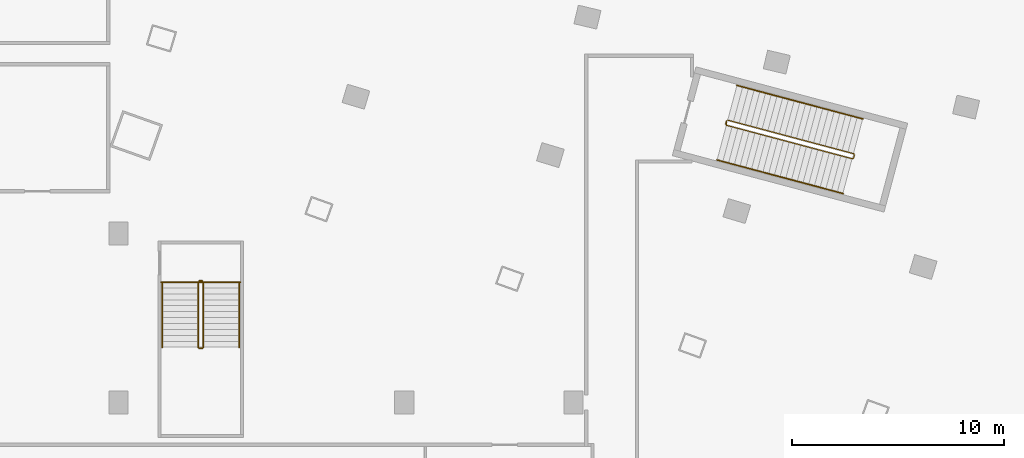
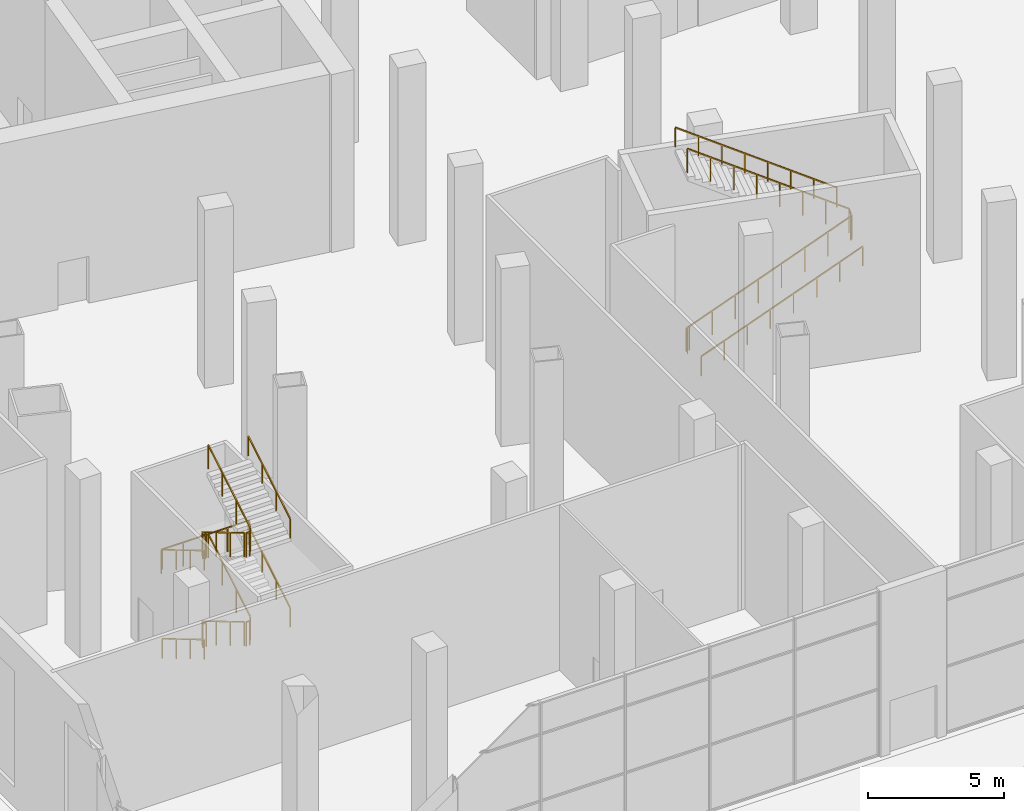
# One storey, part 25 of 33: 16 railings.
"""IFC4 building model written with IfcOpenShell, lengths in metres."""

import ifcopenshell
import ifcopenshell.guid

model = None  # the IFC model being written
_history = None  # IfcOwnerHistory: only IFC2X3 demands one
_inside = {}  # id of a spatial element -> (the spatial element, [elements in it])
_under = {}  # id of a project, library or spatial element -> (it, [spatial elements below it])
_declared = {}  # id of a project -> (the project, [libraries it declares])
_typed = {}  # id of a type object -> (the type object, [elements of that type])
_made_of = {}  # id of a material, layer set ... -> (it, [elements and type objects made of it])


def new_model(schema):
    """Start an empty IFC model of exactly this schema.

    Asked for "IFC4X3", IfcOpenShell would pick the latest addendum, in which some entities
    have other attributes; the version numbers below select the first issue.
    IFC2X3 requires an IfcOwnerHistory on every rooted entity: one is made here for all.
    """
    global model, _history
    if schema == "IFC4X3":
        model = ifcopenshell.file(schema_version=(4, 3, 0, 0))
    else:
        model = ifcopenshell.file(schema=schema)
    _inside.clear()
    _under.clear()
    _declared.clear()
    _typed.clear()
    _made_of.clear()
    _history = None
    if model.schema == "IFC2X3":
        org = make("IfcOrganization", Name="unknown")
        user = make(
            "IfcPersonAndOrganization",
            ThePerson=make("IfcPerson", FamilyName="unknown"),
            TheOrganization=org,
        )
        app = make(
            "IfcApplication",
            ApplicationDeveloper=org,
            Version="unknown",
            ApplicationFullName="unknown",
            ApplicationIdentifier="unknown",
        )
        _history = make(
            "IfcOwnerHistory",
            OwningUser=user,
            OwningApplication=app,
            ChangeAction="ADDED",
            CreationDate=0,
        )
    return model


def make(cls, **values):
    """One entity of the class cls with the attributes given. An attribute that is None is left unset."""
    return model.create_entity(
        cls, **{name: value for name, value in values.items() if value is not None}
    )


def rooted(cls, **values):
    """An entity with a GlobalId (a new one), such as an element, a storey or a relation."""
    return make(cls, GlobalId=ifcopenshell.guid.new(), OwnerHistory=_history, **values)


def si_unit(unit_type, name, prefix=None):
    """IfcSIUnit, for example si_unit("LENGTHUNIT", "METRE", prefix="MILLI")."""
    return make("IfcSIUnit", UnitType=unit_type, Prefix=prefix, Name=name)


def assignment(units):
    """IfcUnitAssignment: the units of a project."""
    return None if units is None else make("IfcUnitAssignment", Units=units)


def point(xyz):
    """IfcCartesianPoint."""
    return None if xyz is None else make("IfcCartesianPoint", Coordinates=xyz)


def direction(xyz):
    """IfcDirection."""
    return None if xyz is None else make("IfcDirection", DirectionRatios=xyz)


def frame(location, z_axis=None, x_axis=None):
    """IfcAxis2Placement3D, a coordinate frame: its origin and axes. An axis left out is left unset."""
    return make(
        "IfcAxis2Placement3D",
        Location=point(location),
        Axis=direction(z_axis),
        RefDirection=direction(x_axis),
    )


def frame_2d(location, x_axis=None):
    """IfcAxis2Placement2D, a coordinate frame in the plane: its origin and x axis."""
    return make(
        "IfcAxis2Placement2D", Location=point(location), RefDirection=direction(x_axis)
    )


def origin():
    """The frame at (0, 0, 0) with its axes left unset."""
    return frame((0.0, 0.0, 0.0))


def origin_with_axes():
    """The frame at (0, 0, 0) with the z axis (0, 0, 1) and the x axis (1, 0, 0) written out."""
    return frame((0.0, 0.0, 0.0), z_axis=(0.0, 0.0, 1.0), x_axis=(1.0, 0.0, 0.0))


def origin_2d():
    """The frame at (0, 0) in the plane with its x axis left unset."""
    return frame_2d((0.0, 0.0))


def place(relative_to, where):
    """IfcLocalPlacement: puts the frame where relative to a parent placement (None: the world)."""
    return make(
        "IfcLocalPlacement", PlacementRelTo=relative_to, RelativePlacement=where
    )


def context(
    kind, dimensions, precision=None, world=None, true_north=None, identifier=None
):
    """IfcGeometricRepresentationContext, for example the 3D "Model" context."""
    return make(
        "IfcGeometricRepresentationContext",
        ContextIdentifier=identifier,
        ContextType=kind,
        CoordinateSpaceDimension=dimensions,
        Precision=precision,
        WorldCoordinateSystem=world,
        TrueNorth=true_north,
    )


def subcontext(parent, identifier, kind, view, scale=None):
    """IfcGeometricRepresentationSubContext, for example "Body" below "Model"."""
    return make(
        "IfcGeometricRepresentationSubContext",
        ContextIdentifier=identifier,
        ContextType=kind,
        ParentContext=parent,
        TargetScale=scale,
        TargetView=view,
    )


def project(units=None, contexts=None):
    """IfcProject with its units and contexts."""
    return rooted(
        "IfcProject",
        Name="project",
        RepresentationContexts=contexts,
        UnitsInContext=assignment(units),
    )


def spatial(cls, under=None, at=None, **own):
    """A site, building, storey or space (cls), placed at a placement, below another one or the project."""
    s = rooted(cls, ObjectPlacement=at, **own)
    if under is not None:
        _under.setdefault(under.id(), (under, []))[1].append(s)
    return s


def profile(cls, at=None, kind="AREA", **sizes):
    """A parametric profile (cls). Its sizes go by their IFC names, for example OverallWidth=200.0."""
    return make(cls, ProfileType=kind, Position=at, **sizes)


def rectangle(**sizes):
    """IfcRectangleProfileDef."""
    return profile("IfcRectangleProfileDef", **sizes)


def extrude(swept, where, along, depth):
    """IfcExtrudedAreaSolid: the profile swept, set in the frame where, extruded along a direction by depth."""
    return make(
        "IfcExtrudedAreaSolid",
        SweptArea=swept,
        Position=where,
        ExtrudedDirection=direction(along),
        Depth=depth,
    )


def shape(context_of_items, identifier, shape_type, items):
    """IfcShapeRepresentation: the items that make up one representation, for example the "Body"."""
    return make(
        "IfcShapeRepresentation",
        ContextOfItems=context_of_items,
        RepresentationIdentifier=identifier,
        RepresentationType=shape_type,
        Items=items,
    )


def material(Name=None, Category=None):
    """IfcMaterial."""
    return make("IfcMaterial", Name=Name, Category=Category)


def made_of(thing, what):
    """Note that an element or type object is made of a material, layer set ...; save() writes the relation."""
    if what is not None:
        _made_of.setdefault(what.id(), (what, []))[1].append(thing)
    return thing


def type_object(cls, material=None, **own):
    """A type object (cls), such as IfcWallType, which elements share."""
    return made_of(rooted(cls, **own), material)


def element(
    cls,
    number,
    at=None,
    inside=None,
    cuts=None,
    type_object=None,
    material=None,
    context=None,
    identifier="Body",
    shape_type=None,
    held_by="IfcProductDefinitionShape",
    body=None,
    shapes=None,
    **own,
):
    """One element of the class cls, such as IfcWall. Its Tag is "e" and its number.

    at: its placement. inside: the storey or other place that contains it. cuts: it is an
    opening in that element (IfcRelVoidsElement). A single representation is given by context,
    identifier, shape_type and body (its items); several are given by shapes. held_by: the class
    of the entity that holds the representations. save() writes the other relations.
    """
    e = rooted(cls, Tag="e%d" % number, ObjectPlacement=at, **own)
    if body is not None:
        shapes = [shape(context, identifier, shape_type, body)]
    if shapes is not None:
        e.Representation = make(held_by, Representations=shapes)
    if inside is not None:
        _inside.setdefault(inside.id(), (inside, []))[1].append(e)
    if cuts is not None:
        rooted(
            "IfcRelVoidsElement", RelatingBuildingElement=cuts, RelatedOpeningElement=e
        )
    if type_object is not None:
        _typed.setdefault(type_object.id(), (type_object, []))[1].append(e)
    return made_of(e, material)


def aggregate(whole, parts):
    """IfcRelAggregates: a whole, such as a stair, and the parts it consists of."""
    return rooted("IfcRelAggregates", RelatingObject=whole, RelatedObjects=parts)


def save(model, path):
    """Write the relations noted so far, then the file.

    IfcRelAggregates (storeys below a building ...), IfcRelContainedInSpatialStructure (elements
    in a storey), IfcRelDefinesByType, IfcRelAssociatesMaterial and IfcRelDeclares: one each for
    every whole, place, type object, material and project.
    """
    for whole, parts in _under.values():
        aggregate(whole, parts)
    for where, things in _inside.values():
        rooted(
            "IfcRelContainedInSpatialStructure",
            RelatedElements=things,
            RelatingStructure=where,
        )
    for kind, things in _typed.values():
        rooted("IfcRelDefinesByType", RelatedObjects=things, RelatingType=kind)
    for what, things in _made_of.values():
        rooted("IfcRelAssociatesMaterial", RelatedObjects=things, RelatingMaterial=what)
    for by, libraries in _declared.values():
        rooted("IfcRelDeclares", RelatingContext=by, RelatedDefinitions=libraries)
    model.write(path)


model = new_model("IFC4")

# Units and contexts
model_context = context("Model", 3, precision=1e-05, world=origin(), true_north=direction((0.0, 1.0)))
body_context = subcontext(model_context, "Body", "Model", "MODEL_VIEW")
ifc_project = project(units=[si_unit("LENGTHUNIT", "METRE"), si_unit("AREAUNIT", "SQUARE_METRE"), si_unit("VOLUMEUNIT", "CUBIC_METRE"), si_unit("PLANEANGLEUNIT", "RADIAN"), si_unit("MASSUNIT", "GRAM", prefix="KILO")], contexts=[model_context])

# Site, building, storey
site_placement = place(None, origin())
site = spatial("IfcSite", under=ifc_project, at=site_placement, CompositionType="ELEMENT")
building_placement = place(site_placement, origin())
building = spatial("IfcBuilding", under=site, at=building_placement, Name="Alderwake Tower", CompositionType="ELEMENT")
storey_placement = place(building_placement, origin())
storey = spatial("IfcBuildingStorey", under=building, at=storey_placement, Name="L00", CompositionType="ELEMENT", Elevation=0.0)

# Railings
ifc_material_1 = material(Name="Stainless steel guard", Category="steel")
railing_type_1 = type_object("IfcRailingType", Name="Stair guard 1100", PredefinedType="GUARDRAIL", material=ifc_material_1)
railing_1_placement = place(storey_placement, frame((39.1943359375, 29.17431640625, 0.0)))
element("IfcRailing", 1, at=railing_1_placement, inside=storey, type_object=railing_type_1, Name="L00 ST-C stair guard 1", PredefinedType="GUARDRAIL", context=body_context, shape_type="SweptSolid", body=[
    extrude(rectangle(XDim=0.048095703125, YDim=0.048095703125, at=origin_2d()), frame((0.0, 0.0, 1.076171875), z_axis=(0.257459803502, 0.966289009345, 0.0), x_axis=(-0.966289009345, 0.257459803502, 0.0)), (0.0, 0.0, 1.0), 0.14990234375),
    extrude(rectangle(XDim=0.048095703125, YDim=0.048095703125, at=origin_2d()), frame((0.03857421875, 0.144775390625, 1.076171875), z_axis=(-0.011772305704, -0.764294308781, 0.644760127787), x_axis=(0.999881397308, -0.015401016783, 0.0)), (0.0, 0.0, 1.0), 0.26953125),
    extrude(rectangle(XDim=0.048095703125, YDim=0.048095703125, at=origin_2d()), frame((0.035400390625, -0.061279296875, 1.25), z_axis=(0.820850103471, -0.218637487057, 0.52763885081), x_axis=(0.257381421089, 0.966309890293, 0.0)), (0.0, 0.0, 1.0), 7.25146484375),
    extrude(rectangle(XDim=0.048095703125, YDim=0.048095703125, at=origin_2d()), frame((5.98779296875, -1.646728515625, 5.076171875), z_axis=(0.865898279276, 0.500220121494, 0.0), x_axis=(-0.500220121494, 0.865898279276, 0.0)), (0.0, 0.0, 1.0), 0.07080078125),
    extrude(rectangle(XDim=0.048095703125, YDim=0.048095703125, at=origin_2d()), frame((6.049072265625, -1.611328125, 5.076171875), z_axis=(0.257055032184, 0.966396766566, 0.0), x_axis=(-0.966396766566, 0.257055032184, 0.0)), (0.0, 0.0, 1.0), 0.150146484375),
    extrude(rectangle(XDim=0.048095703125, YDim=0.048095703125, at=origin_2d()), frame((6.087646484375, -1.46630859375, 5.076171875), z_axis=(-0.18869893599, 0.325342993085, 0.926576844307), x_axis=(-0.865031189262, -0.501718089772, 0.0)), (0.0, 0.0, 1.0), 0.1875),
    extrude(rectangle(XDim=0.048095703125, YDim=0.048095703125, at=origin_2d()), frame((6.05224609375, -1.4052734375, 5.25), z_axis=(-0.820844060793, 0.218669544926, 0.527634966603), x_axis=(-0.257418428705, -0.966300032372, 0.0)), (0.0, 0.0, 1.0), 7.25146484375),
    extrude(rectangle(XDim=0.0419921875, YDim=0.0419921875, at=origin_2d()), frame((0.0, 0.0, 0.0), z_axis=(0.0, 0.0, 1.0), x_axis=(0.257459803502, 0.966289009345, 0.0)), (0.0, 0.0, 1.0), 1.052001953125),
    extrude(rectangle(XDim=0.0419921875, YDim=0.0419921875, at=origin_2d()), frame((0.03857421875, 0.144775390625, 0.0), z_axis=(0.0, 0.0, 1.0), x_axis=(-0.015401016783, -0.999881397308, 0.0)), (0.0, 0.0, 1.0), 1.052001953125),
    extrude(rectangle(XDim=0.0419921875, YDim=0.0419921875, at=origin_2d()), frame((0.035400390625, -0.061279296875, 0.173828125), z_axis=(0.0, 0.0, 1.0), x_axis=(0.966309890293, -0.257381421089, 0.0)), (0.0, 0.0, 1.0), 1.052001953125),
    extrude(rectangle(XDim=0.0419921875, YDim=0.0419921875, at=origin_2d()), frame((0.8857421875, -0.287841796875, 0.720458984375), z_axis=(0.0, 0.0, 1.0), x_axis=(0.966309890293, -0.257381421089, 0.0)), (0.0, 0.0, 1.0), 1.052001953125),
    extrude(rectangle(XDim=0.0419921875, YDim=0.0419921875, at=origin_2d()), frame((1.736083984375, -0.51416015625, 1.26708984375), z_axis=(0.0, 0.0, 1.0), x_axis=(0.966309890293, -0.257381421089, 0.0)), (0.0, 0.0, 1.0), 1.052001953125),
    extrude(rectangle(XDim=0.0419921875, YDim=0.0419921875, at=origin_2d()), frame((2.58642578125, -0.74072265625, 1.813720703125), z_axis=(0.0, 0.0, 1.0), x_axis=(0.966309890293, -0.257381421089, 0.0)), (0.0, 0.0, 1.0), 1.052001953125),
    extrude(rectangle(XDim=0.0419921875, YDim=0.0419921875, at=origin_2d()), frame((3.436767578125, -0.96728515625, 2.360107421875), z_axis=(0.0, 0.0, 1.0), x_axis=(0.966309890293, -0.257381421089, 0.0)), (0.0, 0.0, 1.0), 1.052001953125),
    extrude(rectangle(XDim=0.0419921875, YDim=0.0419921875, at=origin_2d()), frame((4.287109375, -1.19384765625, 2.90673828125), z_axis=(0.0, 0.0, 1.0), x_axis=(0.966309890293, -0.257381421089, 0.0)), (0.0, 0.0, 1.0), 1.052001953125),
    extrude(rectangle(XDim=0.0419921875, YDim=0.0419921875, at=origin_2d()), frame((5.137451171875, -1.420166015625, 3.453369140625), z_axis=(0.0, 0.0, 1.0), x_axis=(0.966309890293, -0.257381421089, 0.0)), (0.0, 0.0, 1.0), 1.052001953125),
    extrude(rectangle(XDim=0.0419921875, YDim=0.0419921875, at=origin_2d()), frame((5.98779296875, -1.646728515625, 4.0), z_axis=(0.0, 0.0, 1.0), x_axis=(0.865898279276, 0.500220121494, 0.0)), (0.0, 0.0, 1.0), 1.052001953125),
    extrude(rectangle(XDim=0.0419921875, YDim=0.0419921875, at=origin_2d()), frame((6.049072265625, -1.611328125, 4.0), z_axis=(0.0, 0.0, 1.0), x_axis=(0.257055032184, 0.966396766566, 0.0)), (0.0, 0.0, 1.0), 1.052001953125),
    extrude(rectangle(XDim=0.0419921875, YDim=0.0419921875, at=origin_2d()), frame((6.087646484375, -1.46630859375, 4.0), z_axis=(0.0, 0.0, 1.0), x_axis=(-0.501718089772, 0.865031189262, 0.0)), (0.0, 0.0, 1.0), 1.052001953125),
    extrude(rectangle(XDim=0.0419921875, YDim=0.0419921875, at=origin_2d()), frame((6.05224609375, -1.4052734375, 4.173828125), z_axis=(0.0, 0.0, 1.0), x_axis=(-0.966300032372, 0.257418428705, 0.0)), (0.0, 0.0, 1.0), 1.052001953125),
    extrude(rectangle(XDim=0.0419921875, YDim=0.0419921875, at=origin_2d()), frame((5.201904296875, -1.1787109375, 4.720458984375), z_axis=(0.0, 0.0, 1.0), x_axis=(-0.966300032372, 0.257418428705, 0.0)), (0.0, 0.0, 1.0), 1.052001953125),
    extrude(rectangle(XDim=0.0419921875, YDim=0.0419921875, at=origin_2d()), frame((4.3515625, -0.9521484375, 5.26708984375), z_axis=(0.0, 0.0, 1.0), x_axis=(-0.966300032372, 0.257418428705, 0.0)), (0.0, 0.0, 1.0), 1.052001953125),
    extrude(rectangle(XDim=0.0419921875, YDim=0.0419921875, at=origin_2d()), frame((3.501220703125, -0.7255859375, 5.813720703125), z_axis=(0.0, 0.0, 1.0), x_axis=(-0.966300032372, 0.257418428705, 0.0)), (0.0, 0.0, 1.0), 1.052001953125),
    extrude(rectangle(XDim=0.0419921875, YDim=0.0419921875, at=origin_2d()), frame((2.65087890625, -0.499267578125, 6.360107421875), z_axis=(0.0, 0.0, 1.0), x_axis=(-0.966300032372, 0.257418428705, 0.0)), (0.0, 0.0, 1.0), 1.052001953125),
    extrude(rectangle(XDim=0.0419921875, YDim=0.0419921875, at=origin_2d()), frame((1.800537109375, -0.272705078125, 6.90673828125), z_axis=(0.0, 0.0, 1.0), x_axis=(-0.966300032372, 0.257418428705, 0.0)), (0.0, 0.0, 1.0), 1.052001953125),
    extrude(rectangle(XDim=0.0419921875, YDim=0.0419921875, at=origin_2d()), frame((0.9501953125, -0.046142578125, 7.453369140625), z_axis=(0.0, 0.0, 1.0), x_axis=(-0.966300032372, 0.257418428705, 0.0)), (0.0, 0.0, 1.0), 1.052001953125),
    extrude(rectangle(XDim=0.0419921875, YDim=0.0419921875, at=origin_2d()), frame((0.099853515625, 0.180419921875, 8.0), z_axis=(0.0, 0.0, 1.0), x_axis=(-0.966300032372, 0.257418428705, 0.0)), (0.0, 0.0, 1.0), 1.052001953125),
])
railing_2_placement = place(storey_placement, frame((14.25, 21.699951171875, 0.166748046875)))
element("IfcRailing", 2, at=railing_2_placement, inside=storey, type_object=railing_type_1, Name="L00 ST-P1 stair guard 1", PredefinedType="GUARDRAIL", context=body_context, shape_type="SweptSolid", body=[
    extrude(rectangle(XDim=0.048095703125, YDim=0.048095703125, at=origin_2d()), frame((0.0, 0.0, 1.076171875), z_axis=(0.0, -0.859290745958, 0.51148745235), x_axis=(1.0, 0.0, 0.0)), (0.0, 0.0, 1.0), 3.584228515625),
    extrude(rectangle(XDim=0.0419921875, YDim=0.0419921875, at=origin_2d()), frame((0.0, 0.0, 0.0), z_axis=(0.0, 0.0, 1.0), x_axis=(0.0, -1.0, 0.0)), (0.0, 0.0, 1.0), 1.052001953125),
    extrude(rectangle(XDim=0.0419921875, YDim=0.0419921875, at=origin_2d()), frame((0.0, -1.026611328125, 0.611083984375), z_axis=(0.0, 0.0, 1.0), x_axis=(0.0, -1.0, 0.0)), (0.0, 0.0, 1.0), 1.052001953125),
    extrude(rectangle(XDim=0.0419921875, YDim=0.0419921875, at=origin_2d()), frame((0.0, -2.05322265625, 1.22216796875), z_axis=(0.0, 0.0, 1.0), x_axis=(0.0, -1.0, 0.0)), (0.0, 0.0, 1.0), 1.052001953125),
    extrude(rectangle(XDim=0.0419921875, YDim=0.0419921875, at=origin_2d()), frame((0.0, -3.079833984375, 1.833251953125), z_axis=(0.0, 0.0, 1.0), x_axis=(0.0, -1.0, 0.0)), (0.0, 0.0, 1.0), 1.052001953125),
])
railing_3_placement = place(storey_placement, frame((14.300048828125, 18.570068359375, 2.0)))
element("IfcRailing", 3, at=railing_3_placement, inside=storey, type_object=railing_type_1, Name="L00 ST-P1 stair guard 2", PredefinedType="GUARDRAIL", context=body_context, shape_type="SweptSolid", body=[
    extrude(rectangle(XDim=0.048095703125, YDim=0.048095703125, at=origin_2d()), frame((0.0, 0.0, 1.076171875), z_axis=(1.0, 0.0, 0.0), x_axis=(0.0, 1.0, 0.0)), (0.0, 0.0, 1.0), 0.14990234375),
    extrude(rectangle(XDim=0.0419921875, YDim=0.0419921875, at=origin_2d()), origin_with_axes(), (0.0, 0.0, 1.0), 1.052001953125),
    extrude(rectangle(XDim=0.0419921875, YDim=0.0419921875, at=origin_2d()), frame((0.14990234375, 0.0, 0.0), z_axis=(0.0, 0.0, 1.0), x_axis=(1.0, 0.0, 0.0)), (0.0, 0.0, 1.0), 1.052001953125),
])
railing_4_placement = place(storey_placement, frame((14.5, 18.6201171875, 2.166748046875)))
element("IfcRailing", 4, at=railing_4_placement, inside=storey, type_object=railing_type_1, Name="L00 ST-P1 stair guard 3", PredefinedType="GUARDRAIL", context=body_context, shape_type="SweptSolid", body=[
    extrude(rectangle(XDim=0.048095703125, YDim=0.048095703125, at=origin_2d()), frame((0.0, 0.0, 1.076171875), z_axis=(0.0, 0.859290745958, 0.51148745235), x_axis=(-1.0, 0.0, 0.0)), (0.0, 0.0, 1.0), 3.584228515625),
    extrude(rectangle(XDim=0.0419921875, YDim=0.0419921875, at=origin_2d()), frame((0.0, 0.0, 0.0), z_axis=(0.0, 0.0, 1.0), x_axis=(0.0, 1.0, 0.0)), (0.0, 0.0, 1.0), 1.052001953125),
    extrude(rectangle(XDim=0.0419921875, YDim=0.0419921875, at=origin_2d()), frame((0.0, 1.026611328125, 0.611083984375), z_axis=(0.0, 0.0, 1.0), x_axis=(0.0, 1.0, 0.0)), (0.0, 0.0, 1.0), 1.052001953125),
    extrude(rectangle(XDim=0.0419921875, YDim=0.0419921875, at=origin_2d()), frame((0.0, 2.05322265625, 1.22216796875), z_axis=(0.0, 0.0, 1.0), x_axis=(0.0, 1.0, 0.0)), (0.0, 0.0, 1.0), 1.052001953125),
    extrude(rectangle(XDim=0.0419921875, YDim=0.0419921875, at=origin_2d()), frame((0.0, 3.079833984375, 1.833251953125), z_axis=(0.0, 0.0, 1.0), x_axis=(0.0, 1.0, 0.0)), (0.0, 0.0, 1.0), 1.052001953125),
])
railing_5_placement = place(storey_placement, frame((14.300048828125, 21.75, 4.0)))
element("IfcRailing", 5, at=railing_5_placement, inside=storey, type_object=railing_type_1, Name="L00 ST-P1 stair guard 4", PredefinedType="GUARDRAIL", context=body_context, shape_type="SweptSolid", body=[
    extrude(rectangle(XDim=0.048095703125, YDim=0.048095703125, at=origin_2d()), frame((0.0, 0.0, 1.076171875), z_axis=(1.0, 0.0, 0.0), x_axis=(0.0, 1.0, 0.0)), (0.0, 0.0, 1.0), 0.14990234375),
    extrude(rectangle(XDim=0.0419921875, YDim=0.0419921875, at=origin_2d()), origin_with_axes(), (0.0, 0.0, 1.0), 1.052001953125),
    extrude(rectangle(XDim=0.0419921875, YDim=0.0419921875, at=origin_2d()), frame((0.14990234375, 0.0, 0.0), z_axis=(0.0, 0.0, 1.0), x_axis=(1.0, 0.0, 0.0)), (0.0, 0.0, 1.0), 1.052001953125),
])
railing_6_placement = place(storey_placement, frame((14.25, 21.699951171875, 4.166748046875)))
element("IfcRailing", 6, at=railing_6_placement, inside=storey, type_object=railing_type_1, Name="L00 ST-P1 stair guard 5", PredefinedType="GUARDRAIL", context=body_context, shape_type="SweptSolid", body=[
    extrude(rectangle(XDim=0.048095703125, YDim=0.048095703125, at=origin_2d()), frame((0.0, 0.0, 1.076171875), z_axis=(0.0, -0.859290745958, 0.51148745235), x_axis=(1.0, 0.0, 0.0)), (0.0, 0.0, 1.0), 3.584228515625),
    extrude(rectangle(XDim=0.0419921875, YDim=0.0419921875, at=origin_2d()), frame((0.0, 0.0, 0.0), z_axis=(0.0, 0.0, 1.0), x_axis=(0.0, -1.0, 0.0)), (0.0, 0.0, 1.0), 1.052001953125),
    extrude(rectangle(XDim=0.0419921875, YDim=0.0419921875, at=origin_2d()), frame((0.0, -1.026611328125, 0.611083984375), z_axis=(0.0, 0.0, 1.0), x_axis=(0.0, -1.0, 0.0)), (0.0, 0.0, 1.0), 1.052001953125),
    extrude(rectangle(XDim=0.0419921875, YDim=0.0419921875, at=origin_2d()), frame((0.0, -2.05322265625, 1.22216796875), z_axis=(0.0, 0.0, 1.0), x_axis=(0.0, -1.0, 0.0)), (0.0, 0.0, 1.0), 1.052001953125),
    extrude(rectangle(XDim=0.0419921875, YDim=0.0419921875, at=origin_2d()), frame((0.0, -3.079833984375, 1.833251953125), z_axis=(0.0, 0.0, 1.0), x_axis=(0.0, -1.0, 0.0)), (0.0, 0.0, 1.0), 1.052001953125),
])
railing_7_placement = place(storey_placement, frame((14.300048828125, 18.570068359375, 6.0)))
element("IfcRailing", 7, at=railing_7_placement, inside=storey, type_object=railing_type_1, Name="L00 ST-P1 stair guard 6", PredefinedType="GUARDRAIL", context=body_context, shape_type="SweptSolid", body=[
    extrude(rectangle(XDim=0.048095703125, YDim=0.048095703125, at=origin_2d()), frame((0.0, 0.0, 1.076171875), z_axis=(1.0, 0.0, 0.0), x_axis=(0.0, 1.0, 0.0)), (0.0, 0.0, 1.0), 0.14990234375),
    extrude(rectangle(XDim=0.0419921875, YDim=0.0419921875, at=origin_2d()), origin_with_axes(), (0.0, 0.0, 1.0), 1.052001953125),
    extrude(rectangle(XDim=0.0419921875, YDim=0.0419921875, at=origin_2d()), frame((0.14990234375, 0.0, 0.0), z_axis=(0.0, 0.0, 1.0), x_axis=(1.0, 0.0, 0.0)), (0.0, 0.0, 1.0), 1.052001953125),
])
railing_8_placement = place(storey_placement, frame((14.5, 18.6201171875, 6.166748046875)))
element("IfcRailing", 8, at=railing_8_placement, inside=storey, type_object=railing_type_1, Name="L00 ST-P1 stair guard 7", PredefinedType="GUARDRAIL", context=body_context, shape_type="SweptSolid", body=[
    extrude(rectangle(XDim=0.048095703125, YDim=0.048095703125, at=origin_2d()), frame((0.0, 0.0, 1.076171875), z_axis=(0.0, 0.859290745958, 0.51148745235), x_axis=(-1.0, 0.0, 0.0)), (0.0, 0.0, 1.0), 3.584228515625),
    extrude(rectangle(XDim=0.0419921875, YDim=0.0419921875, at=origin_2d()), frame((0.0, 0.0, 0.0), z_axis=(0.0, 0.0, 1.0), x_axis=(0.0, 1.0, 0.0)), (0.0, 0.0, 1.0), 1.052001953125),
    extrude(rectangle(XDim=0.0419921875, YDim=0.0419921875, at=origin_2d()), frame((0.0, 1.026611328125, 0.611083984375), z_axis=(0.0, 0.0, 1.0), x_axis=(0.0, 1.0, 0.0)), (0.0, 0.0, 1.0), 1.052001953125),
    extrude(rectangle(XDim=0.0419921875, YDim=0.0419921875, at=origin_2d()), frame((0.0, 2.05322265625, 1.22216796875), z_axis=(0.0, 0.0, 1.0), x_axis=(0.0, 1.0, 0.0)), (0.0, 0.0, 1.0), 1.052001953125),
    extrude(rectangle(XDim=0.0419921875, YDim=0.0419921875, at=origin_2d()), frame((0.0, 3.079833984375, 1.833251953125), z_axis=(0.0, 0.0, 1.0), x_axis=(0.0, 1.0, 0.0)), (0.0, 0.0, 1.0), 1.052001953125),
])
railing_9_placement = place(storey_placement, frame((14.300048828125, 21.75, 0.0)))
element("IfcRailing", 9, at=railing_9_placement, inside=storey, type_object=railing_type_1, Name="L00 ST-P1 stair guard 8", PredefinedType="GUARDRAIL", context=body_context, shape_type="SweptSolid", body=[
    extrude(rectangle(XDim=0.048095703125, YDim=0.048095703125, at=origin_2d()), frame((0.0, 0.0, 1.076171875), z_axis=(1.0, 0.0, 0.0), x_axis=(0.0, 1.0, 0.0)), (0.0, 0.0, 1.0), 0.14990234375),
    extrude(rectangle(XDim=0.0419921875, YDim=0.0419921875, at=origin_2d()), origin_with_axes(), (0.0, 0.0, 1.0), 1.052001953125),
    extrude(rectangle(XDim=0.0419921875, YDim=0.0419921875, at=origin_2d()), frame((0.14990234375, 0.0, 0.0), z_axis=(0.0, 0.0, 1.0), x_axis=(1.0, 0.0, 0.0)), (0.0, 0.0, 1.0), 1.052001953125),
])
railing_10_placement = place(storey_placement, frame((12.5, 21.68994140625, 4.0)))
element("IfcRailing", 10, at=railing_10_placement, inside=storey, type_object=railing_type_1, Name="L00 landing guard ST-P1.L2", PredefinedType="GUARDRAIL", context=body_context, shape_type="SweptSolid", body=[
    extrude(rectangle(XDim=0.048095703125, YDim=0.048095703125, at=origin_2d()), frame((0.0, 0.0, 1.076171875), z_axis=(1.0, 0.0, 0.0), x_axis=(0.0, 1.0, 0.0)), (0.0, 0.0, 1.0), 3.75),
    extrude(rectangle(XDim=0.0419921875, YDim=0.0419921875, at=origin_2d()), origin_with_axes(), (0.0, 0.0, 1.0), 1.052001953125),
    extrude(rectangle(XDim=0.0419921875, YDim=0.0419921875, at=origin_2d()), frame((0.9375, 0.0, 0.0), z_axis=(0.0, 0.0, 1.0), x_axis=(1.0, 0.0, 0.0)), (0.0, 0.0, 1.0), 1.052001953125),
    extrude(rectangle(XDim=0.0419921875, YDim=0.0419921875, at=origin_2d()), frame((1.875, 0.0, 0.0), z_axis=(0.0, 0.0, 1.0), x_axis=(1.0, 0.0, 0.0)), (0.0, 0.0, 1.0), 1.052001953125),
    extrude(rectangle(XDim=0.0419921875, YDim=0.0419921875, at=origin_2d()), frame((2.8125, 0.0, 0.0), z_axis=(0.0, 0.0, 1.0), x_axis=(1.0, 0.0, 0.0)), (0.0, 0.0, 1.0), 1.052001953125),
    extrude(rectangle(XDim=0.0419921875, YDim=0.0419921875, at=origin_2d()), frame((3.75, 0.0, 0.0), z_axis=(0.0, 0.0, 1.0), x_axis=(1.0, 0.0, 0.0)), (0.0, 0.0, 1.0), 1.052001953125),
])
ifc_material_2 = material(Name="Stainless steel handrail", Category="steel")
railing_type_2 = type_object("IfcRailingType", Name="Stair handrail 900", PredefinedType="HANDRAIL", material=ifc_material_2)
railing_11_placement = place(storey_placement, frame((38.792236328125, 27.47021484375, 0.173828125)))
element("IfcRailing", 11, at=railing_11_placement, inside=storey, type_object=railing_type_2, Name="L00 ST-C stair handrail 1", PredefinedType="HANDRAIL", context=body_context, shape_type="SweptSolid", body=[
    extrude(rectangle(XDim=0.048095703125, YDim=0.048095703125, at=origin_2d()), frame((0.0, 0.0, 0.8759765625), z_axis=(0.820850103471, -0.218637487057, 0.52763885081), x_axis=(0.257381421089, 0.966309890293, 0.0)), (0.0, 0.0, 1.0), 7.25146484375),
    extrude(rectangle(XDim=0.0419921875, YDim=0.0419921875, at=origin_2d()), frame((0.0, 0.0, 0.0), z_axis=(0.0, 0.0, 1.0), x_axis=(0.966309890293, -0.257381421089, 0.0)), (0.0, 0.0, 1.0), 0.851806640625),
    extrude(rectangle(XDim=0.0419921875, YDim=0.0419921875, at=origin_2d()), frame((0.850341796875, -0.2265625, 0.546630859375), z_axis=(0.0, 0.0, 1.0), x_axis=(0.966309890293, -0.257381421089, 0.0)), (0.0, 0.0, 1.0), 0.851806640625),
    extrude(rectangle(XDim=0.0419921875, YDim=0.0419921875, at=origin_2d()), frame((1.70068359375, -0.452880859375, 1.09326171875), z_axis=(0.0, 0.0, 1.0), x_axis=(0.966309890293, -0.257381421089, 0.0)), (0.0, 0.0, 1.0), 0.851806640625),
    extrude(rectangle(XDim=0.0419921875, YDim=0.0419921875, at=origin_2d()), frame((2.551025390625, -0.679443359375, 1.639892578125), z_axis=(0.0, 0.0, 1.0), x_axis=(0.966309890293, -0.257381421089, 0.0)), (0.0, 0.0, 1.0), 0.851806640625),
    extrude(rectangle(XDim=0.0419921875, YDim=0.0419921875, at=origin_2d()), frame((3.4013671875, -0.906005859375, 2.186279296875), z_axis=(0.0, 0.0, 1.0), x_axis=(0.966309890293, -0.257381421089, 0.0)), (0.0, 0.0, 1.0), 0.851806640625),
    extrude(rectangle(XDim=0.0419921875, YDim=0.0419921875, at=origin_2d()), frame((4.251708984375, -1.132568359375, 2.73291015625), z_axis=(0.0, 0.0, 1.0), x_axis=(0.966309890293, -0.257381421089, 0.0)), (0.0, 0.0, 1.0), 0.851806640625),
    extrude(rectangle(XDim=0.0419921875, YDim=0.0419921875, at=origin_2d()), frame((5.10205078125, -1.35888671875, 3.279541015625), z_axis=(0.0, 0.0, 1.0), x_axis=(0.966309890293, -0.257381421089, 0.0)), (0.0, 0.0, 1.0), 0.851806640625),
    extrude(rectangle(XDim=0.0419921875, YDim=0.0419921875, at=origin_2d()), frame((5.952392578125, -1.58544921875, 3.826171875), z_axis=(0.0, 0.0, 1.0), x_axis=(0.966309890293, -0.257381421089, 0.0)), (0.0, 0.0, 1.0), 0.851806640625),
])
railing_12_placement = place(storey_placement, frame((45.68408203125, 29.411865234375, 4.173828125)))
element("IfcRailing", 12, at=railing_12_placement, inside=storey, type_object=railing_type_2, Name="L00 ST-C stair handrail 2", PredefinedType="HANDRAIL", context=body_context, shape_type="SweptSolid", body=[
    extrude(rectangle(XDim=0.048095703125, YDim=0.048095703125, at=origin_2d()), frame((0.0, 0.0, 0.8759765625), z_axis=(-0.820850103471, 0.218637487057, 0.52763885081), x_axis=(-0.257381421089, -0.966309890293, 0.0)), (0.0, 0.0, 1.0), 7.25146484375),
    extrude(rectangle(XDim=0.0419921875, YDim=0.0419921875, at=origin_2d()), frame((0.0, 0.0, 0.0), z_axis=(0.0, 0.0, 1.0), x_axis=(-0.966309890293, 0.257381421089, 0.0)), (0.0, 0.0, 1.0), 0.851806640625),
    extrude(rectangle(XDim=0.0419921875, YDim=0.0419921875, at=origin_2d()), frame((-0.850341796875, 0.2265625, 0.546630859375), z_axis=(0.0, 0.0, 1.0), x_axis=(-0.966309890293, 0.257381421089, 0.0)), (0.0, 0.0, 1.0), 0.851806640625),
    extrude(rectangle(XDim=0.0419921875, YDim=0.0419921875, at=origin_2d()), frame((-1.70068359375, 0.452880859375, 1.09326171875), z_axis=(0.0, 0.0, 1.0), x_axis=(-0.966309890293, 0.257381421089, 0.0)), (0.0, 0.0, 1.0), 0.851806640625),
    extrude(rectangle(XDim=0.0419921875, YDim=0.0419921875, at=origin_2d()), frame((-2.551025390625, 0.679443359375, 1.639892578125), z_axis=(0.0, 0.0, 1.0), x_axis=(-0.966309890293, 0.257381421089, 0.0)), (0.0, 0.0, 1.0), 0.851806640625),
    extrude(rectangle(XDim=0.0419921875, YDim=0.0419921875, at=origin_2d()), frame((-3.4013671875, 0.906005859375, 2.186279296875), z_axis=(0.0, 0.0, 1.0), x_axis=(-0.966309890293, 0.257381421089, 0.0)), (0.0, 0.0, 1.0), 0.851806640625),
    extrude(rectangle(XDim=0.0419921875, YDim=0.0419921875, at=origin_2d()), frame((-4.251708984375, 1.132568359375, 2.73291015625), z_axis=(0.0, 0.0, 1.0), x_axis=(-0.966309890293, 0.257381421089, 0.0)), (0.0, 0.0, 1.0), 0.851806640625),
    extrude(rectangle(XDim=0.0419921875, YDim=0.0419921875, at=origin_2d()), frame((-5.10205078125, 1.35888671875, 3.279541015625), z_axis=(0.0, 0.0, 1.0), x_axis=(-0.966309890293, 0.257381421089, 0.0)), (0.0, 0.0, 1.0), 0.851806640625),
    extrude(rectangle(XDim=0.0419921875, YDim=0.0419921875, at=origin_2d()), frame((-5.952392578125, 1.58544921875, 3.826171875), z_axis=(0.0, 0.0, 1.0), x_axis=(-0.966309890293, 0.257381421089, 0.0)), (0.0, 0.0, 1.0), 0.851806640625),
])
railing_13_placement = place(storey_placement, frame((12.550048828125, 21.699951171875, 0.166748046875)))
element("IfcRailing", 13, at=railing_13_placement, inside=storey, type_object=railing_type_2, Name="L00 ST-P1 stair handrail 1", PredefinedType="HANDRAIL", context=body_context, shape_type="SweptSolid", body=[
    extrude(rectangle(XDim=0.048095703125, YDim=0.048095703125, at=origin_2d()), frame((0.0, 0.0, 0.8759765625), z_axis=(0.0, -0.859290745958, 0.51148745235), x_axis=(1.0, 0.0, 0.0)), (0.0, 0.0, 1.0), 3.584228515625),
    extrude(rectangle(XDim=0.0419921875, YDim=0.0419921875, at=origin_2d()), frame((0.0, 0.0, 0.0), z_axis=(0.0, 0.0, 1.0), x_axis=(0.0, -1.0, 0.0)), (0.0, 0.0, 1.0), 0.851806640625),
    extrude(rectangle(XDim=0.0419921875, YDim=0.0419921875, at=origin_2d()), frame((0.0, -1.026611328125, 0.611083984375), z_axis=(0.0, 0.0, 1.0), x_axis=(0.0, -1.0, 0.0)), (0.0, 0.0, 1.0), 0.851806640625),
    extrude(rectangle(XDim=0.0419921875, YDim=0.0419921875, at=origin_2d()), frame((0.0, -2.05322265625, 1.22216796875), z_axis=(0.0, 0.0, 1.0), x_axis=(0.0, -1.0, 0.0)), (0.0, 0.0, 1.0), 0.851806640625),
    extrude(rectangle(XDim=0.0419921875, YDim=0.0419921875, at=origin_2d()), frame((0.0, -3.079833984375, 1.833251953125), z_axis=(0.0, 0.0, 1.0), x_axis=(0.0, -1.0, 0.0)), (0.0, 0.0, 1.0), 0.851806640625),
])
railing_14_placement = place(storey_placement, frame((16.199951171875, 18.6201171875, 2.166748046875)))
element("IfcRailing", 14, at=railing_14_placement, inside=storey, type_object=railing_type_2, Name="L00 ST-P1 stair handrail 2", PredefinedType="HANDRAIL", context=body_context, shape_type="SweptSolid", body=[
    extrude(rectangle(XDim=0.048095703125, YDim=0.048095703125, at=origin_2d()), frame((0.0, 0.0, 0.8759765625), z_axis=(0.0, 0.859290745958, 0.51148745235), x_axis=(-1.0, 0.0, 0.0)), (0.0, 0.0, 1.0), 3.584228515625),
    extrude(rectangle(XDim=0.0419921875, YDim=0.0419921875, at=origin_2d()), frame((0.0, 0.0, 0.0), z_axis=(0.0, 0.0, 1.0), x_axis=(0.0, 1.0, 0.0)), (0.0, 0.0, 1.0), 0.851806640625),
    extrude(rectangle(XDim=0.0419921875, YDim=0.0419921875, at=origin_2d()), frame((0.0, 1.026611328125, 0.611083984375), z_axis=(0.0, 0.0, 1.0), x_axis=(0.0, 1.0, 0.0)), (0.0, 0.0, 1.0), 0.851806640625),
    extrude(rectangle(XDim=0.0419921875, YDim=0.0419921875, at=origin_2d()), frame((0.0, 2.05322265625, 1.22216796875), z_axis=(0.0, 0.0, 1.0), x_axis=(0.0, 1.0, 0.0)), (0.0, 0.0, 1.0), 0.851806640625),
    extrude(rectangle(XDim=0.0419921875, YDim=0.0419921875, at=origin_2d()), frame((0.0, 3.079833984375, 1.833251953125), z_axis=(0.0, 0.0, 1.0), x_axis=(0.0, 1.0, 0.0)), (0.0, 0.0, 1.0), 0.851806640625),
])
railing_15_placement = place(storey_placement, frame((12.550048828125, 21.699951171875, 4.166748046875)))
element("IfcRailing", 15, at=railing_15_placement, inside=storey, type_object=railing_type_2, Name="L00 ST-P1 stair handrail 3", PredefinedType="HANDRAIL", context=body_context, shape_type="SweptSolid", body=[
    extrude(rectangle(XDim=0.048095703125, YDim=0.048095703125, at=origin_2d()), frame((0.0, 0.0, 0.8759765625), z_axis=(0.0, -0.859290745958, 0.51148745235), x_axis=(1.0, 0.0, 0.0)), (0.0, 0.0, 1.0), 3.584228515625),
    extrude(rectangle(XDim=0.0419921875, YDim=0.0419921875, at=origin_2d()), frame((0.0, 0.0, 0.0), z_axis=(0.0, 0.0, 1.0), x_axis=(0.0, -1.0, 0.0)), (0.0, 0.0, 1.0), 0.851806640625),
    extrude(rectangle(XDim=0.0419921875, YDim=0.0419921875, at=origin_2d()), frame((0.0, -1.026611328125, 0.611083984375), z_axis=(0.0, 0.0, 1.0), x_axis=(0.0, -1.0, 0.0)), (0.0, 0.0, 1.0), 0.851806640625),
    extrude(rectangle(XDim=0.0419921875, YDim=0.0419921875, at=origin_2d()), frame((0.0, -2.05322265625, 1.22216796875), z_axis=(0.0, 0.0, 1.0), x_axis=(0.0, -1.0, 0.0)), (0.0, 0.0, 1.0), 0.851806640625),
    extrude(rectangle(XDim=0.0419921875, YDim=0.0419921875, at=origin_2d()), frame((0.0, -3.079833984375, 1.833251953125), z_axis=(0.0, 0.0, 1.0), x_axis=(0.0, -1.0, 0.0)), (0.0, 0.0, 1.0), 0.851806640625),
])
railing_16_placement = place(storey_placement, frame((16.199951171875, 18.6201171875, 6.166748046875)))
element("IfcRailing", 16, at=railing_16_placement, inside=storey, type_object=railing_type_2, Name="L00 ST-P1 stair handrail 4", PredefinedType="HANDRAIL", context=body_context, shape_type="SweptSolid", body=[
    extrude(rectangle(XDim=0.048095703125, YDim=0.048095703125, at=origin_2d()), frame((0.0, 0.0, 0.8759765625), z_axis=(0.0, 0.859290745958, 0.51148745235), x_axis=(-1.0, 0.0, 0.0)), (0.0, 0.0, 1.0), 3.584228515625),
    extrude(rectangle(XDim=0.0419921875, YDim=0.0419921875, at=origin_2d()), frame((0.0, 0.0, 0.0), z_axis=(0.0, 0.0, 1.0), x_axis=(0.0, 1.0, 0.0)), (0.0, 0.0, 1.0), 0.851806640625),
    extrude(rectangle(XDim=0.0419921875, YDim=0.0419921875, at=origin_2d()), frame((0.0, 1.026611328125, 0.611083984375), z_axis=(0.0, 0.0, 1.0), x_axis=(0.0, 1.0, 0.0)), (0.0, 0.0, 1.0), 0.851806640625),
    extrude(rectangle(XDim=0.0419921875, YDim=0.0419921875, at=origin_2d()), frame((0.0, 2.05322265625, 1.22216796875), z_axis=(0.0, 0.0, 1.0), x_axis=(0.0, 1.0, 0.0)), (0.0, 0.0, 1.0), 0.851806640625),
    extrude(rectangle(XDim=0.0419921875, YDim=0.0419921875, at=origin_2d()), frame((0.0, 3.079833984375, 1.833251953125), z_axis=(0.0, 0.0, 1.0), x_axis=(0.0, 1.0, 0.0)), (0.0, 0.0, 1.0), 0.851806640625),
])

save(model, "model.ifc")
